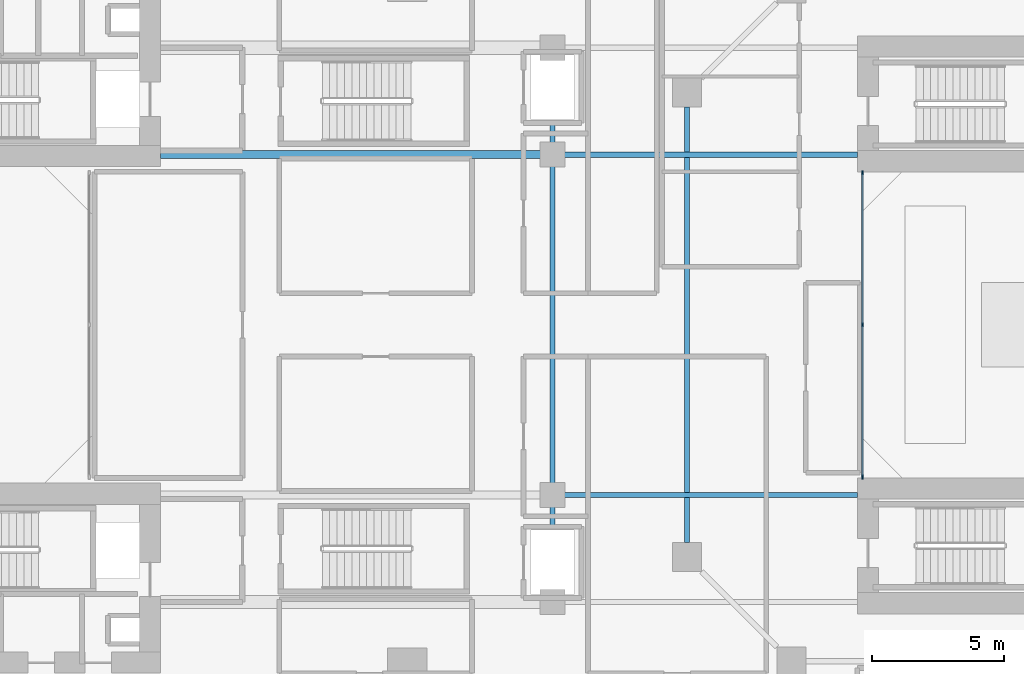
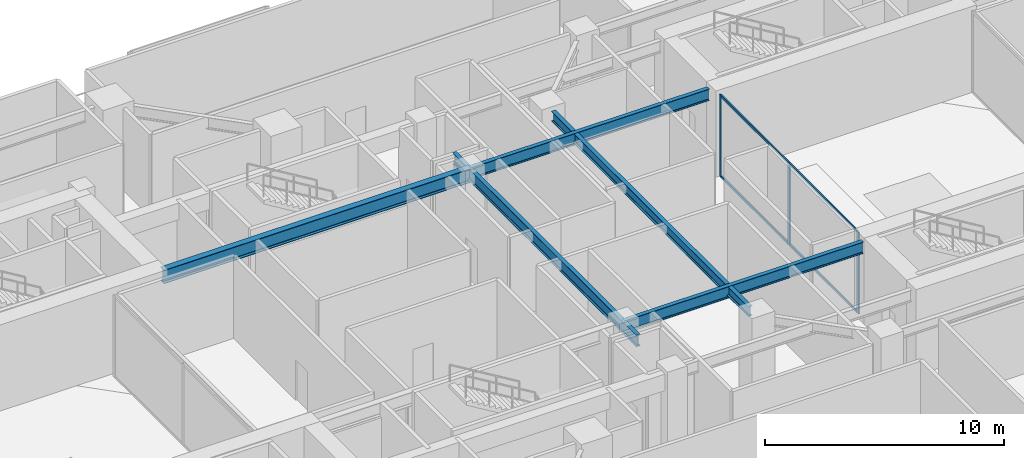
# One storey, part 5 of 19: 7 members, 5 beams, 1 element without a shape of its own.
"""IFC4 building model written with IfcOpenShell, lengths in metres."""

from ifc_helpers import new_model, si_unit, direction, frame, origin, origin_2d, place, context, subcontext, project, spatial, rectangle, i_section, extrude, source, transform, mapped, material, layer, layer_set, material_profile, profile_set, type_object, element, aggregate, save


model = new_model("IFC4")

# Units and contexts
model_context = context("Model", 3, precision=1e-05, world=origin(), true_north=direction((0.0, 1.0)))
body_context = subcontext(model_context, "Body", "Model", "MODEL_VIEW")
ifc_project = project(units=[si_unit("LENGTHUNIT", "METRE"), si_unit("AREAUNIT", "SQUARE_METRE"), si_unit("VOLUMEUNIT", "CUBIC_METRE"), si_unit("PLANEANGLEUNIT", "RADIAN"), si_unit("MASSUNIT", "GRAM", prefix="KILO"), si_unit("THERMODYNAMICTEMPERATUREUNIT", "KELVIN"), si_unit("POWERUNIT", "WATT")], contexts=[model_context])

# Site, building, storey
site_placement = place(None, origin())
site = spatial("IfcSite", under=ifc_project, at=site_placement, CompositionType="ELEMENT")
building_placement = place(site_placement, origin())
building = spatial("IfcBuilding", under=site, at=building_placement, Name="Qiaomeng Ring Towers", CompositionType="ELEMENT")
storey_placement = place(building_placement, frame((0.0, 0.0, 5.0)))
storey = spatial("IfcBuildingStorey", under=building, at=storey_placement, Name="L01", CompositionType="ELEMENT", Elevation=5.0)

# Beams
ifc_material_1 = material(Name="Steel Q355B", Category="steel")
ifc_material_profile_1 = material_profile(ifc_material_1, i_section(OverallWidth=0.199951171875, OverallDepth=0.5, WebThickness=0.010009765625, FlangeThickness=0.01611328125, FilletRadius=0.02001953125, at=origin_2d()), Name="HN 500x200x10x16")
ifc_profile_set_1 = profile_set([ifc_material_profile_1], Name="Steel Q355B")
beam_type_1 = type_object("IfcBeamType", Name="STR-BM-HN500", PredefinedType="BEAM", material=ifc_profile_set_1)
shared_shape_1 = source(origin(), body_context, "Body", "SweptSolid", [
    extrude(i_section(OverallWidth=0.199951171875, OverallDepth=0.5, WebThickness=0.010009765625, FlangeThickness=0.01611328125, FilletRadius=0.02001953125, at=origin_2d()), origin(), (0.0, 0.0, 1.0), 16.501953125),
])
beam_1_placement = place(storey_placement, frame((47.75, 14.7490234375, 3.929931640625), z_axis=(0.0, 1.0, 0.0), x_axis=(-1.0, 0.0, 0.0)))
element("IfcBeam", 1, at=beam_1_placement, inside=storey, type_object=beam_type_1, Name="L01 beam STR-SP-L01-T2-7", PredefinedType="BEAM", context=body_context, shape_type="MappedRepresentation", body=[
    mapped(shared_shape_1, transform((0.0, 0.0, 0.0), x_axis=(1.0, 0.0, 0.0), y_axis=(0.0, 1.0, 0.0), z_axis=(0.0, 0.0, 1.0), scale=1.0)),
])
ifc_material_profile_2 = material_profile(ifc_material_1, i_section(OverallWidth=0.199951171875, OverallDepth=0.60009765625, WebThickness=0.010986328125, FlangeThickness=0.01708984375, FilletRadius=0.02197265625, at=origin_2d()), Name="HN 600x200x11x17")
ifc_profile_set_2 = profile_set([ifc_material_profile_2], Name="Steel Q355B")
beam_type_2 = type_object("IfcBeamType", Name="STR-BM-HN600", PredefinedType="BEAM", material=ifc_profile_set_2)
shared_shape_2 = source(origin(), body_context, "Body", "SweptSolid", [
    extrude(i_section(OverallWidth=0.199951171875, OverallDepth=0.60009765625, WebThickness=0.010986328125, FlangeThickness=0.01708984375, FilletRadius=0.02197265625, at=origin_2d()), origin(), (0.0, 0.0, 1.0), 15.39990234375),
])
beam_2_placement = place(storey_placement, frame((42.64990234375, 15.300048828125, 3.8798828125), z_axis=(0.0, 1.0, 0.0), x_axis=(-1.0, 0.0, 0.0)))
element("IfcBeam", 2, at=beam_2_placement, inside=storey, type_object=beam_type_2, Name="L01 beam STR-BM-L01-THROAT-N", PredefinedType="BEAM", context=body_context, shape_type="MappedRepresentation", body=[
    mapped(shared_shape_2, transform((0.0, 0.0, 0.0), x_axis=(1.0, 0.0, 0.0), y_axis=(0.0, 1.0, 0.0), z_axis=(0.0, 0.0, 1.0), scale=1.0)),
])
shared_shape_3 = source(origin(), body_context, "Body", "SweptSolid", [
    extrude(i_section(OverallWidth=0.199951171875, OverallDepth=0.60009765625, WebThickness=0.010986328125, FlangeThickness=0.01708984375, FilletRadius=0.02197265625, at=origin_2d()), origin(), (0.0, 0.0, 1.0), 11.550048828125),
])
for number, where, z_axis, x_axis, name in (
    (3, (42.64990234375, 16.550048828125, 3.8798828125), (1.0, 0.0, 0.0), (0.0, 1.0, 0.0), "L01 beam STR-BM-L01-M2-1"),
    (4, (42.64990234375, 29.449951171875, 3.8798828125), (1.0, 0.0, 0.0), (0.0, 1.0, 0.0), "L01 beam STR-BM-L01-M2-2"),
):
    element("IfcBeam", number, at=place(storey_placement, frame(where, z_axis=z_axis, x_axis=x_axis)), inside=storey, type_object=beam_type_2, Name=name, PredefinedType="BEAM", context=body_context, shape_type="MappedRepresentation", body=[
        mapped(shared_shape_3, transform((0.0, 0.0, 0.0), x_axis=(1.0, 0.0, 0.0), y_axis=(0.0, 1.0, 0.0), z_axis=(0.0, 0.0, 1.0), scale=1.0)),
    ])
ifc_material_profile_3 = material_profile(ifc_material_1, i_section(OverallWidth=0.300048828125, OverallDepth=0.699951171875, WebThickness=0.012939453125, FlangeThickness=0.02392578125, FilletRadius=0.02392578125, at=origin_2d()), Name="HN 700x300x13x24")
ifc_profile_set_3 = profile_set([ifc_material_profile_3], Name="Steel Q355B")
beam_type_3 = type_object("IfcBeamType", Name="STR-BM-HN700", PredefinedType="BEAM", material=ifc_profile_set_3)
shared_shape_4 = source(origin(), body_context, "Body", "SweptSolid", [
    extrude(i_section(OverallWidth=0.300048828125, OverallDepth=0.699951171875, WebThickness=0.012939453125, FlangeThickness=0.02392578125, FilletRadius=0.02392578125, at=origin_2d()), origin(), (0.0, 0.0, 1.0), 14.849853515625),
])
beam_3_placement = place(storey_placement, frame((27.800048828125, 29.449951171875, 3.830078125), z_axis=(1.0, 0.0, 0.0), x_axis=(0.0, 1.0, 0.0)))
element("IfcBeam", 5, at=beam_3_placement, inside=storey, type_object=beam_type_3, Name="L01 beam STR-BM-L01-M1-2", PredefinedType="BEAM", context=body_context, shape_type="MappedRepresentation", body=[
    mapped(shared_shape_4, transform((0.0, 0.0, 0.0), x_axis=(1.0, 0.0, 0.0), y_axis=(0.0, 1.0, 0.0), z_axis=(0.0, 0.0, 1.0), scale=1.0)),
])

# Curtain wall, members
ifc_material_2 = material(Name="Fluorocarbon dark-grey aluminium", Category="aluminium")
ifc_layer = layer(ifc_material_2, 0.139892578125, Name="Fluorocarbon dark-grey aluminium")
ifc_layer_set = layer_set([ifc_layer], Name="Fluorocarbon dark-grey aluminium")
curtain_wall_type = type_object("IfcCurtainWallType", Name="ARC-CW-4", PredefinedType="NOTDEFINED", material=ifc_layer_set)
curtain_wall_placement = place(storey_placement, origin())
curtain_wall = element("IfcCurtainWall", 6, at=curtain_wall_placement, inside=storey, type_object=curtain_wall_type, Name="L01 Curtain Wall CW4", PredefinedType="NOTDEFINED")
ifc_material_profile_4 = material_profile(ifc_material_2, rectangle(XDim=0.06494140625, YDim=0.159912109375, at=origin_2d()), Name="ALU MULL 65x160")
ifc_profile_set_4 = profile_set([ifc_material_profile_4], Name="Fluorocarbon dark-grey aluminium")
member_type_1 = type_object("IfcMemberType", Name="ARC-CWM-140", PredefinedType="MULLION", material=ifc_profile_set_4)
shared_shape_5 = source(origin(), body_context, "Body", "SweptSolid", [
    extrude(rectangle(XDim=0.06494140625, YDim=0.159912109375, at=origin_2d()), origin(), (0.0, 0.0, 1.0), 4.179931640625),
])
member_1_placement = place(storey_placement, frame((54.39990234375, 17.232421875, 0.0), z_axis=(0.0, 0.0, 1.0), x_axis=(-1.0, 0.0, 0.0)))
member_1 = element("IfcMember", 7, at=member_1_placement, type_object=member_type_1, Name="CW4 mullion 1", PredefinedType="MULLION", context=body_context, shape_type="MappedRepresentation", body=[
    mapped(shared_shape_5, transform((0.0, 0.0, 0.0), x_axis=(1.0, 0.0, 0.0), y_axis=(0.0, 1.0, 0.0), z_axis=(0.0, 0.0, 1.0), scale=1.0)),
])
member_2_placement = place(storey_placement, frame((54.39990234375, 23.0, 0.0), z_axis=(0.0, 0.0, 1.0), x_axis=(-1.0, 0.0, 0.0)))
member_2 = element("IfcMember", 8, at=member_2_placement, type_object=member_type_1, Name="CW4 mullion 2", PredefinedType="MULLION", context=body_context, shape_type="MappedRepresentation", body=[
    mapped(shared_shape_5, transform((0.0, 0.0, 0.0), x_axis=(1.0, 0.0, 0.0), y_axis=(0.0, 1.0, 0.0), z_axis=(0.0, 0.0, 1.0), scale=1.0)),
])
member_3_placement = place(storey_placement, frame((54.39990234375, 28.767578125, 0.0), z_axis=(0.0, 0.0, 1.0), x_axis=(-1.0, 0.0, 0.0)))
member_3 = element("IfcMember", 9, at=member_3_placement, type_object=member_type_1, Name="CW4 mullion 3", PredefinedType="MULLION", context=body_context, shape_type="MappedRepresentation", body=[
    mapped(shared_shape_5, transform((0.0, 0.0, 0.0), x_axis=(1.0, 0.0, 0.0), y_axis=(0.0, 1.0, 0.0), z_axis=(0.0, 0.0, 1.0), scale=1.0)),
])
ifc_material_profile_5 = material_profile(ifc_material_2, rectangle(XDim=0.06494140625, YDim=0.1298828125, at=origin_2d()), Name="ALU TRAN 65x130")
ifc_profile_set_5 = profile_set([ifc_material_profile_5], Name="Fluorocarbon dark-grey aluminium")
member_type_2 = type_object("IfcMemberType", Name="ARC-CWT-120", PredefinedType="USERDEFINED", material=ifc_profile_set_5)
shared_shape_6 = source(origin(), body_context, "Body", "SweptSolid", [
    extrude(rectangle(XDim=0.06494140625, YDim=0.1298828125, at=origin_2d()), origin(), (0.0, 0.0, 1.0), 5.70263671875),
])
member_4_placement = place(storey_placement, frame((54.39990234375, 17.264892578125, 0.032470703125), z_axis=(0.0, 1.0, 0.0), x_axis=(-1.0, 0.0, 0.0)))
member_4 = element("IfcMember", 10, at=member_4_placement, type_object=member_type_2, Name="CW4 transom 1.1", ObjectType="TRANSOM", PredefinedType="USERDEFINED", context=body_context, shape_type="MappedRepresentation", body=[
    mapped(shared_shape_6, transform((0.0, 0.0, 0.0), x_axis=(1.0, 0.0, 0.0), y_axis=(0.0, 1.0, 0.0), z_axis=(0.0, 0.0, 1.0), scale=1.0)),
])
member_5_placement = place(storey_placement, frame((54.39990234375, 17.264892578125, 4.1474609375), z_axis=(0.0, 1.0, 0.0), x_axis=(-1.0, 0.0, 0.0)))
member_5 = element("IfcMember", 11, at=member_5_placement, type_object=member_type_2, Name="CW4 transom 1.2", ObjectType="TRANSOM", PredefinedType="USERDEFINED", context=body_context, shape_type="MappedRepresentation", body=[
    mapped(shared_shape_6, transform((0.0, 0.0, 0.0), x_axis=(1.0, 0.0, 0.0), y_axis=(0.0, 1.0, 0.0), z_axis=(0.0, 0.0, 1.0), scale=1.0)),
])
member_6_placement = place(storey_placement, frame((54.39990234375, 23.032470703125, 0.032470703125), z_axis=(0.0, 1.0, 0.0), x_axis=(-1.0, 0.0, 0.0)))
member_6 = element("IfcMember", 12, at=member_6_placement, type_object=member_type_2, Name="CW4 transom 2.1", ObjectType="TRANSOM", PredefinedType="USERDEFINED", context=body_context, shape_type="MappedRepresentation", body=[
    mapped(shared_shape_6, transform((0.0, 0.0, 0.0), x_axis=(1.0, 0.0, 0.0), y_axis=(0.0, 1.0, 0.0), z_axis=(0.0, 0.0, 1.0), scale=1.0)),
])
member_7_placement = place(storey_placement, frame((54.39990234375, 23.032470703125, 4.1474609375), z_axis=(0.0, 1.0, 0.0), x_axis=(-1.0, 0.0, 0.0)))
member_7 = element("IfcMember", 13, at=member_7_placement, type_object=member_type_2, Name="CW4 transom 2.2", ObjectType="TRANSOM", PredefinedType="USERDEFINED", context=body_context, shape_type="MappedRepresentation", body=[
    mapped(shared_shape_6, transform((0.0, 0.0, 0.0), x_axis=(1.0, 0.0, 0.0), y_axis=(0.0, 1.0, 0.0), z_axis=(0.0, 0.0, 1.0), scale=1.0)),
])
aggregate(curtain_wall, [member_1, member_2, member_3, member_4, member_5, member_6, member_7])

save(model, "model.ifc")
